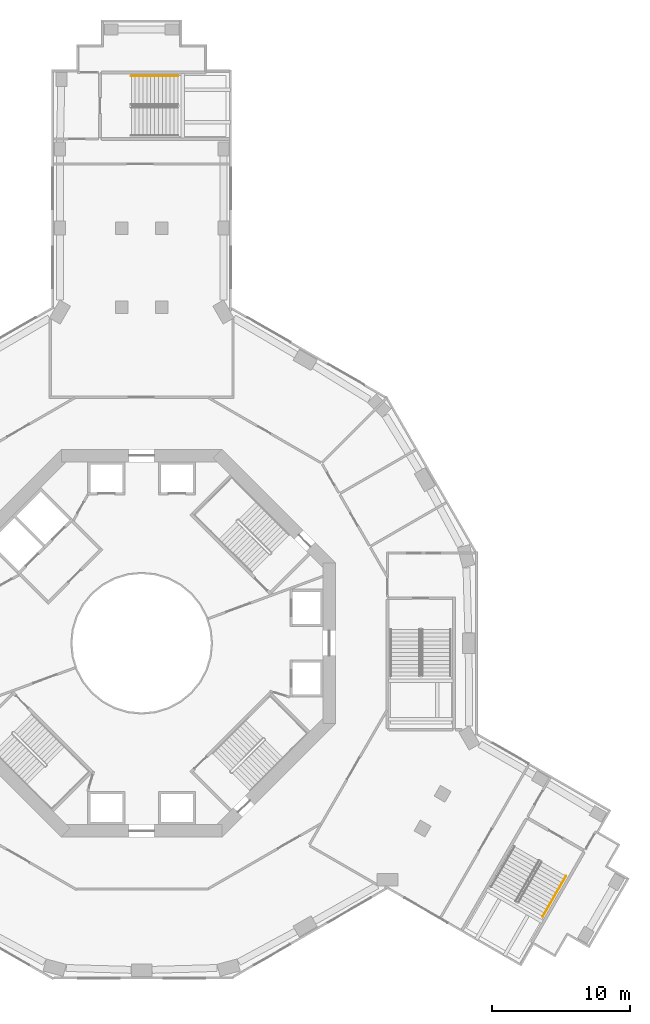
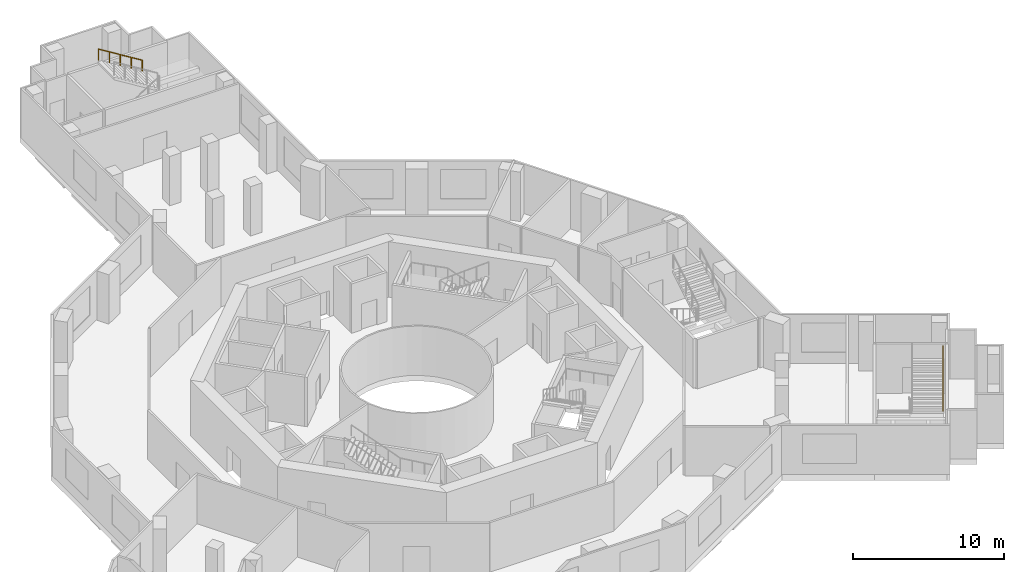
# One storey, part 20 of 20: 2 railings.
"""IFC4 building model written with IfcOpenShell, lengths in metres."""

import ifcopenshell
import ifcopenshell.guid

model = None  # the IFC model being written
_history = None  # IfcOwnerHistory: only IFC2X3 demands one
_inside = {}  # id of a spatial element -> (the spatial element, [elements in it])
_under = {}  # id of a project, library or spatial element -> (it, [spatial elements below it])
_declared = {}  # id of a project -> (the project, [libraries it declares])
_typed = {}  # id of a type object -> (the type object, [elements of that type])
_made_of = {}  # id of a material, layer set ... -> (it, [elements and type objects made of it])


def new_model(schema):
    """Start an empty IFC model of exactly this schema.

    Asked for "IFC4X3", IfcOpenShell would pick the latest addendum, in which some entities
    have other attributes; the version numbers below select the first issue.
    IFC2X3 requires an IfcOwnerHistory on every rooted entity: one is made here for all.
    """
    global model, _history
    if schema == "IFC4X3":
        model = ifcopenshell.file(schema_version=(4, 3, 0, 0))
    else:
        model = ifcopenshell.file(schema=schema)
    _inside.clear()
    _under.clear()
    _declared.clear()
    _typed.clear()
    _made_of.clear()
    _history = None
    if model.schema == "IFC2X3":
        org = make("IfcOrganization", Name="unknown")
        user = make(
            "IfcPersonAndOrganization",
            ThePerson=make("IfcPerson", FamilyName="unknown"),
            TheOrganization=org,
        )
        app = make(
            "IfcApplication",
            ApplicationDeveloper=org,
            Version="unknown",
            ApplicationFullName="unknown",
            ApplicationIdentifier="unknown",
        )
        _history = make(
            "IfcOwnerHistory",
            OwningUser=user,
            OwningApplication=app,
            ChangeAction="ADDED",
            CreationDate=0,
        )
    return model


def make(cls, **values):
    """One entity of the class cls with the attributes given. An attribute that is None is left unset."""
    return model.create_entity(
        cls, **{name: value for name, value in values.items() if value is not None}
    )


def rooted(cls, **values):
    """An entity with a GlobalId (a new one), such as an element, a storey or a relation."""
    return make(cls, GlobalId=ifcopenshell.guid.new(), OwnerHistory=_history, **values)


def si_unit(unit_type, name, prefix=None):
    """IfcSIUnit, for example si_unit("LENGTHUNIT", "METRE", prefix="MILLI")."""
    return make("IfcSIUnit", UnitType=unit_type, Prefix=prefix, Name=name)


def assignment(units):
    """IfcUnitAssignment: the units of a project."""
    return None if units is None else make("IfcUnitAssignment", Units=units)


def point(xyz):
    """IfcCartesianPoint."""
    return None if xyz is None else make("IfcCartesianPoint", Coordinates=xyz)


def direction(xyz):
    """IfcDirection."""
    return None if xyz is None else make("IfcDirection", DirectionRatios=xyz)


def frame(location, z_axis=None, x_axis=None):
    """IfcAxis2Placement3D, a coordinate frame: its origin and axes. An axis left out is left unset."""
    return make(
        "IfcAxis2Placement3D",
        Location=point(location),
        Axis=direction(z_axis),
        RefDirection=direction(x_axis),
    )


def frame_2d(location, x_axis=None):
    """IfcAxis2Placement2D, a coordinate frame in the plane: its origin and x axis."""
    return make(
        "IfcAxis2Placement2D", Location=point(location), RefDirection=direction(x_axis)
    )


def origin():
    """The frame at (0, 0, 0) with its axes left unset."""
    return frame((0.0, 0.0, 0.0))


def origin_2d():
    """The frame at (0, 0) in the plane with its x axis left unset."""
    return frame_2d((0.0, 0.0))


def place(relative_to, where):
    """IfcLocalPlacement: puts the frame where relative to a parent placement (None: the world)."""
    return make(
        "IfcLocalPlacement", PlacementRelTo=relative_to, RelativePlacement=where
    )


def context(
    kind, dimensions, precision=None, world=None, true_north=None, identifier=None
):
    """IfcGeometricRepresentationContext, for example the 3D "Model" context."""
    return make(
        "IfcGeometricRepresentationContext",
        ContextIdentifier=identifier,
        ContextType=kind,
        CoordinateSpaceDimension=dimensions,
        Precision=precision,
        WorldCoordinateSystem=world,
        TrueNorth=true_north,
    )


def subcontext(parent, identifier, kind, view, scale=None):
    """IfcGeometricRepresentationSubContext, for example "Body" below "Model"."""
    return make(
        "IfcGeometricRepresentationSubContext",
        ContextIdentifier=identifier,
        ContextType=kind,
        ParentContext=parent,
        TargetScale=scale,
        TargetView=view,
    )


def project(units=None, contexts=None):
    """IfcProject with its units and contexts."""
    return rooted(
        "IfcProject",
        Name="project",
        RepresentationContexts=contexts,
        UnitsInContext=assignment(units),
    )


def spatial(cls, under=None, at=None, **own):
    """A site, building, storey or space (cls), placed at a placement, below another one or the project."""
    s = rooted(cls, ObjectPlacement=at, **own)
    if under is not None:
        _under.setdefault(under.id(), (under, []))[1].append(s)
    return s


def profile(cls, at=None, kind="AREA", **sizes):
    """A parametric profile (cls). Its sizes go by their IFC names, for example OverallWidth=200.0."""
    return make(cls, ProfileType=kind, Position=at, **sizes)


def circle(**sizes):
    """IfcCircleProfileDef."""
    return profile("IfcCircleProfileDef", **sizes)


def extrude(swept, where, along, depth):
    """IfcExtrudedAreaSolid: the profile swept, set in the frame where, extruded along a direction by depth."""
    return make(
        "IfcExtrudedAreaSolid",
        SweptArea=swept,
        Position=where,
        ExtrudedDirection=direction(along),
        Depth=depth,
    )


def shape(context_of_items, identifier, shape_type, items):
    """IfcShapeRepresentation: the items that make up one representation, for example the "Body"."""
    return make(
        "IfcShapeRepresentation",
        ContextOfItems=context_of_items,
        RepresentationIdentifier=identifier,
        RepresentationType=shape_type,
        Items=items,
    )


def material(Name=None, Category=None):
    """IfcMaterial."""
    return make("IfcMaterial", Name=Name, Category=Category)


def made_of(thing, what):
    """Note that an element or type object is made of a material, layer set ...; save() writes the relation."""
    if what is not None:
        _made_of.setdefault(what.id(), (what, []))[1].append(thing)
    return thing


def type_object(cls, material=None, **own):
    """A type object (cls), such as IfcWallType, which elements share."""
    return made_of(rooted(cls, **own), material)


def element(
    cls,
    number,
    at=None,
    inside=None,
    cuts=None,
    type_object=None,
    material=None,
    context=None,
    identifier="Body",
    shape_type=None,
    held_by="IfcProductDefinitionShape",
    body=None,
    shapes=None,
    **own,
):
    """One element of the class cls, such as IfcWall. Its Tag is "e" and its number.

    at: its placement. inside: the storey or other place that contains it. cuts: it is an
    opening in that element (IfcRelVoidsElement). A single representation is given by context,
    identifier, shape_type and body (its items); several are given by shapes. held_by: the class
    of the entity that holds the representations. save() writes the other relations.
    """
    e = rooted(cls, Tag="e%d" % number, ObjectPlacement=at, **own)
    if body is not None:
        shapes = [shape(context, identifier, shape_type, body)]
    if shapes is not None:
        e.Representation = make(held_by, Representations=shapes)
    if inside is not None:
        _inside.setdefault(inside.id(), (inside, []))[1].append(e)
    if cuts is not None:
        rooted(
            "IfcRelVoidsElement", RelatingBuildingElement=cuts, RelatedOpeningElement=e
        )
    if type_object is not None:
        _typed.setdefault(type_object.id(), (type_object, []))[1].append(e)
    return made_of(e, material)


def aggregate(whole, parts):
    """IfcRelAggregates: a whole, such as a stair, and the parts it consists of."""
    return rooted("IfcRelAggregates", RelatingObject=whole, RelatedObjects=parts)


def save(model, path):
    """Write the relations noted so far, then the file.

    IfcRelAggregates (storeys below a building ...), IfcRelContainedInSpatialStructure (elements
    in a storey), IfcRelDefinesByType, IfcRelAssociatesMaterial and IfcRelDeclares: one each for
    every whole, place, type object, material and project.
    """
    for whole, parts in _under.values():
        aggregate(whole, parts)
    for where, things in _inside.values():
        rooted(
            "IfcRelContainedInSpatialStructure",
            RelatedElements=things,
            RelatingStructure=where,
        )
    for kind, things in _typed.values():
        rooted("IfcRelDefinesByType", RelatedObjects=things, RelatingType=kind)
    for what, things in _made_of.values():
        rooted("IfcRelAssociatesMaterial", RelatedObjects=things, RelatingMaterial=what)
    for by, libraries in _declared.values():
        rooted("IfcRelDeclares", RelatingContext=by, RelatedDefinitions=libraries)
    model.write(path)


model = new_model("IFC4")

# Units and contexts
model_context = context("Model", 3, precision=1e-05, world=origin(), true_north=direction((0.0, 1.0)))
body_context = subcontext(model_context, "Body", "Model", "MODEL_VIEW")
ifc_project = project(units=[si_unit("LENGTHUNIT", "METRE"), si_unit("AREAUNIT", "SQUARE_METRE"), si_unit("VOLUMEUNIT", "CUBIC_METRE"), si_unit("PLANEANGLEUNIT", "RADIAN"), si_unit("MASSUNIT", "GRAM", prefix="KILO")], contexts=[model_context])

# Site, building, storey
site_placement = place(None, origin())
site = spatial("IfcSite", under=ifc_project, at=site_placement, CompositionType="ELEMENT")
building_placement = place(site_placement, origin())
building = spatial("IfcBuilding", under=site, at=building_placement, Name="Verdalira Terraces Hotel", CompositionType="ELEMENT")
storey_placement = place(building_placement, frame((0.0, 0.0, 23.5)))
storey = spatial("IfcBuildingStorey", under=building, at=storey_placement, Name="L04", CompositionType="ELEMENT", Elevation=23.5)

# Railings
ifc_material = material(Name="Stainless steel", Category="steel")
railing_type = type_object("IfcRailingType", Name="Stair handrail 900", PredefinedType="HANDRAIL", material=ifc_material)
railing_1_placement = place(storey_placement, frame((2.610107, 40.949951, 2.423096)))
element("IfcRailing", 1, at=railing_1_placement, inside=storey, type_object=railing_type, Name="L04 PS1 stair handrail 2", PredefinedType="HANDRAIL", context=body_context, shape_type="SweptSolid", body=[
    extrude(circle(Radius=0.023926, at=origin_2d()), frame((0.0, 0.0, 0.875977), z_axis=(-0.850623217, 0.0, 0.525775754), x_axis=(0.0, -1.0, 0.0)), (0.0, 0.0, 1.0), 3.950195),
    extrude(circle(Radius=0.020996, at=origin_2d()), origin(), (0.0, 0.0, 1.0), 0.851807),
    extrude(circle(Radius=0.020996, at=origin_2d()), frame((-0.840088, 0.0, 0.519287)), (0.0, 0.0, 1.0), 0.851807),
    extrude(circle(Radius=0.020996, at=origin_2d()), frame((-1.680176, 0.0, 1.038574)), (0.0, 0.0, 1.0), 0.851807),
    extrude(circle(Radius=0.020996, at=origin_2d()), frame((-2.52002, 0.0, 1.557617)), (0.0, 0.0, 1.0), 0.851807),
    extrude(circle(Radius=0.020996, at=origin_2d()), frame((-3.360107, 0.0, 2.076904)), (0.0, 0.0, 1.0), 0.851807),
])
railing_2_placement = place(storey_placement, frame((28.962646, -19.735352, 2.423096)))
element("IfcRailing", 2, at=railing_2_placement, inside=storey, type_object=railing_type, Name="L04 PS3 stair handrail 2", PredefinedType="HANDRAIL", context=body_context, shape_type="SweptSolid", body=[
    extrude(circle(Radius=0.023926, at=origin_2d()), frame((0.0, 0.0, 0.875977), z_axis=(0.425288379, 0.736667954, 0.525785241), x_axis=(-0.86603918, 0.499976139, 0.0)), (0.0, 0.0, 1.0), 3.950195),
    extrude(circle(Radius=0.020996, at=origin_2d()), origin(), (0.0, 0.0, 1.0), 0.851807),
    extrude(circle(Radius=0.020996, at=origin_2d()), frame((0.419922, 0.727539, 0.519287)), (0.0, 0.0, 1.0), 0.851807),
    extrude(circle(Radius=0.020996, at=origin_2d()), frame((0.839844, 1.455078, 1.038574)), (0.0, 0.0, 1.0), 0.851807),
    extrude(circle(Radius=0.020996, at=origin_2d()), frame((1.26001, 2.182373, 1.557617)), (0.0, 0.0, 1.0), 0.851807),
    extrude(circle(Radius=0.020996, at=origin_2d()), frame((1.679932, 2.909912, 2.076904)), (0.0, 0.0, 1.0), 0.851807),
])

save(model, "model.ifc")
